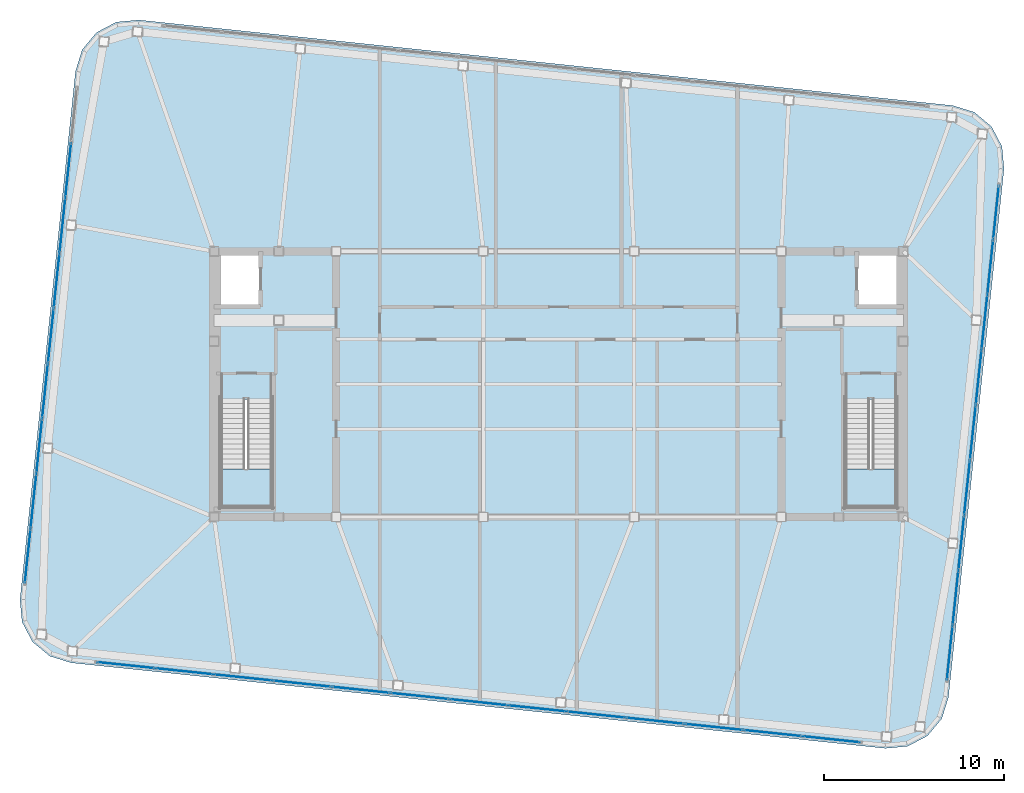
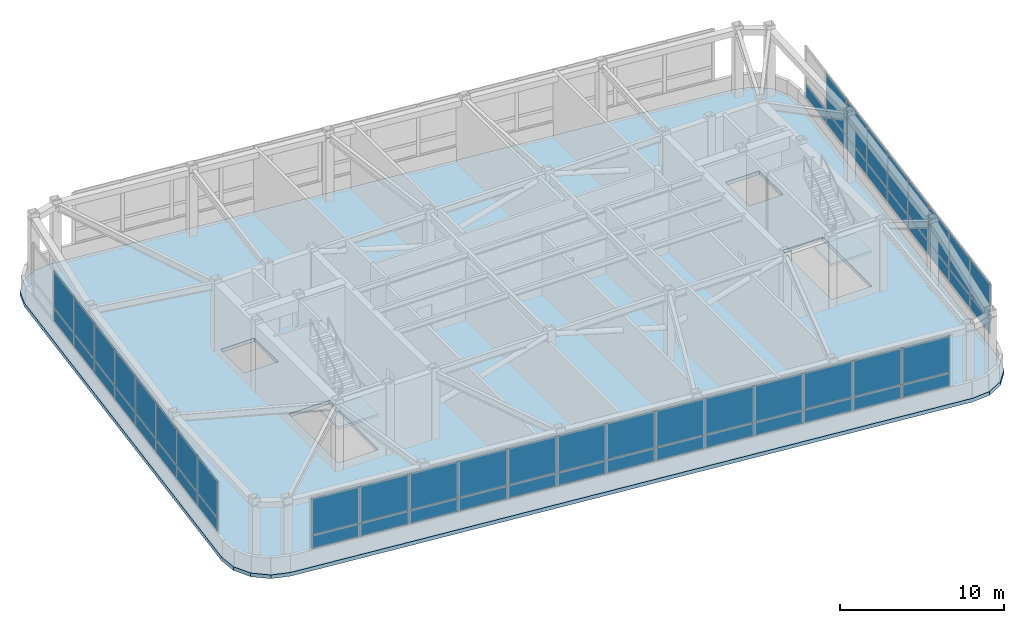
# One storey, part 18 of 23: 59 plates, 3 slabs, 5 elements without a shape of their own.
"""IFC4 building model written with IfcOpenShell, lengths in metres."""

from ifc_helpers import new_model, si_unit, direction, frame, origin, origin_2d, place, context, subcontext, project, spatial, polyline, rectangle, outline, extrude, material, layer, layer_set, type_object, element, aggregate, save


model = new_model("IFC4")

# Units and contexts
model_context = context("Model", 3, precision=1e-05, world=origin(), true_north=direction((0.0, 1.0)))
body_context = subcontext(model_context, "Body", "Model", "MODEL_VIEW")
ifc_project = project(units=[si_unit("LENGTHUNIT", "METRE"), si_unit("AREAUNIT", "SQUARE_METRE"), si_unit("VOLUMEUNIT", "CUBIC_METRE"), si_unit("PLANEANGLEUNIT", "RADIAN"), si_unit("MASSUNIT", "GRAM", prefix="KILO")], contexts=[model_context])

# Site, building, storey
site_placement = place(None, origin())
site = spatial("IfcSite", under=ifc_project, at=site_placement, CompositionType="ELEMENT")
building_placement = place(site_placement, origin())
building = spatial("IfcBuilding", under=site, at=building_placement, Name="Voryun Gate Residences", CompositionType="ELEMENT")
storey_placement = place(building_placement, frame((0.0, 0.0, 326.60009765625)))
storey = spatial("IfcBuildingStorey", under=building, at=storey_placement, Name="L80", CompositionType="ELEMENT", Elevation=326.60009765625)

# Curtain wall, plates
ifc_material_1 = material(Name="Anodised aluminium", Category="aluminium")
ifc_layer_1 = layer(ifc_material_1, 0.22998046875, Name="CW_SYS_LANTERN_DARK_GLASS")
ifc_layer_set_1 = layer_set([ifc_layer_1], Name="Anodised aluminium")
curtain_wall_type = type_object("IfcCurtainWallType", Name="CW_SYS_LANTERN_DARK_GLASS", PredefinedType="NOTDEFINED", material=ifc_layer_set_1)
curtain_wall_1_placement = place(storey_placement, origin())
curtain_wall_1 = element("IfcCurtainWall", 1, at=curtain_wall_1_placement, inside=storey, type_object=curtain_wall_type, Name="Curtain wall CW6-L80-01", PredefinedType="NOTDEFINED")
ifc_material_2 = material(Name="Fritted lantern glass", Category="glass")
ifc_layer_2 = layer(ifc_material_2, 0.050048828125, Name="PLT_GLASS_FRIT_LANTERN")
ifc_layer_set_2 = layer_set([ifc_layer_2], Name="Fritted lantern glass")
plate_type = type_object("IfcPlateType", Name="PLT_GLASS_FRIT_LANTERN", PredefinedType="CURTAIN_PANEL", material=ifc_layer_set_2)
plate_1_placement = place(storey_placement, frame((15.18212890625, -19.787109375, 1.25), z_axis=(0.0, 0.0, 1.0), x_axis=(-0.994521969434, 0.10452775858, 0.0)))
plate_1 = element("IfcPlate", 2, at=plate_1_placement, type_object=plate_type, Name="CW6 panel 1.1", PredefinedType="CURTAIN_PANEL", context=body_context, shape_type="SweptSolid", body=[
    extrude(rectangle(XDim=3.20458984375, YDim=0.028076171875, at=origin_2d()), origin(), (0.0, 0.0, 1.0), 0.9599609375),
])
plate_2_placement = place(storey_placement, frame((15.18212890625, -19.787109375, 2.27001953125), z_axis=(0.0, 0.0, 1.0), x_axis=(-0.994521969434, 0.10452775858, 0.0)))
plate_2 = element("IfcPlate", 3, at=plate_2_placement, type_object=plate_type, Name="CW6 panel 1.2", PredefinedType="CURTAIN_PANEL", context=body_context, shape_type="SweptSolid", body=[
    extrude(rectangle(XDim=3.20458984375, YDim=0.028076171875, at=origin_2d()), origin(), (0.0, 0.0, 1.0), 2.695068359375),
])
plate_3_placement = place(storey_placement, frame((11.92041015625, -19.4443359375, 1.25), z_axis=(0.0, 0.0, 1.0), x_axis=(-0.994521969434, 0.10452775858, 0.0)))
plate_3 = element("IfcPlate", 4, at=plate_3_placement, type_object=plate_type, Name="CW6 panel 2.1", PredefinedType="CURTAIN_PANEL", context=body_context, shape_type="SweptSolid", body=[
    extrude(rectangle(XDim=3.234619140625, YDim=0.028076171875, at=origin_2d()), origin(), (0.0, 0.0, 1.0), 0.9599609375),
])
plate_4_placement = place(storey_placement, frame((11.92041015625, -19.4443359375, 2.27001953125), z_axis=(0.0, 0.0, 1.0), x_axis=(-0.994521969434, 0.10452775858, 0.0)))
plate_4 = element("IfcPlate", 5, at=plate_4_placement, type_object=plate_type, Name="CW6 panel 2.2", PredefinedType="CURTAIN_PANEL", context=body_context, shape_type="SweptSolid", body=[
    extrude(rectangle(XDim=3.234619140625, YDim=0.028076171875, at=origin_2d()), origin(), (0.0, 0.0, 1.0), 2.695068359375),
])
plate_5_placement = place(storey_placement, frame((8.643798828125, -19.099853515625, 1.25), z_axis=(0.0, 0.0, 1.0), x_axis=(-0.994521969434, 0.10452775858, 0.0)))
plate_5 = element("IfcPlate", 6, at=plate_5_placement, type_object=plate_type, Name="CW6 panel 3.1", PredefinedType="CURTAIN_PANEL", context=body_context, shape_type="SweptSolid", body=[
    extrude(rectangle(XDim=3.234619140625, YDim=0.028076171875, at=origin_2d()), origin(), (0.0, 0.0, 1.0), 0.9599609375),
])
plate_6_placement = place(storey_placement, frame((8.643798828125, -19.099853515625, 2.27001953125), z_axis=(0.0, 0.0, 1.0), x_axis=(-0.994521969434, 0.10452775858, 0.0)))
plate_6 = element("IfcPlate", 7, at=plate_6_placement, type_object=plate_type, Name="CW6 panel 3.2", PredefinedType="CURTAIN_PANEL", context=body_context, shape_type="SweptSolid", body=[
    extrude(rectangle(XDim=3.234619140625, YDim=0.028076171875, at=origin_2d()), origin(), (0.0, 0.0, 1.0), 2.695068359375),
])
plate_7_placement = place(storey_placement, frame((5.3671875, -18.755615234375, 1.25), z_axis=(0.0, 0.0, 1.0), x_axis=(-0.994521969434, 0.10452775858, 0.0)))
plate_7 = element("IfcPlate", 8, at=plate_7_placement, type_object=plate_type, Name="CW6 panel 4.1", PredefinedType="CURTAIN_PANEL", context=body_context, shape_type="SweptSolid", body=[
    extrude(rectangle(XDim=3.234619140625, YDim=0.028076171875, at=origin_2d()), origin(), (0.0, 0.0, 1.0), 0.9599609375),
])
plate_8_placement = place(storey_placement, frame((5.3671875, -18.755615234375, 2.27001953125), z_axis=(0.0, 0.0, 1.0), x_axis=(-0.994521969434, 0.10452775858, 0.0)))
plate_8 = element("IfcPlate", 9, at=plate_8_placement, type_object=plate_type, Name="CW6 panel 4.2", PredefinedType="CURTAIN_PANEL", context=body_context, shape_type="SweptSolid", body=[
    extrude(rectangle(XDim=3.234619140625, YDim=0.028076171875, at=origin_2d()), origin(), (0.0, 0.0, 1.0), 2.695068359375),
])
plate_9_placement = place(storey_placement, frame((2.090576171875, -18.4111328125, 1.25), z_axis=(0.0, 0.0, 1.0), x_axis=(-0.994521969434, 0.10452775858, 0.0)))
plate_9 = element("IfcPlate", 10, at=plate_9_placement, type_object=plate_type, Name="CW6 panel 5.1", PredefinedType="CURTAIN_PANEL", context=body_context, shape_type="SweptSolid", body=[
    extrude(rectangle(XDim=3.234619140625, YDim=0.028076171875, at=origin_2d()), origin(), (0.0, 0.0, 1.0), 0.9599609375),
])
plate_10_placement = place(storey_placement, frame((2.090576171875, -18.4111328125, 2.27001953125), z_axis=(0.0, 0.0, 1.0), x_axis=(-0.994521969434, 0.10452775858, 0.0)))
plate_10 = element("IfcPlate", 11, at=plate_10_placement, type_object=plate_type, Name="CW6 panel 5.2", PredefinedType="CURTAIN_PANEL", context=body_context, shape_type="SweptSolid", body=[
    extrude(rectangle(XDim=3.234619140625, YDim=0.028076171875, at=origin_2d()), origin(), (0.0, 0.0, 1.0), 2.695068359375),
])
plate_11_placement = place(storey_placement, frame((-1.18603515625, -18.06689453125, 1.25), z_axis=(0.0, 0.0, 1.0), x_axis=(-0.994521969434, 0.10452775858, 0.0)))
plate_11 = element("IfcPlate", 12, at=plate_11_placement, type_object=plate_type, Name="CW6 panel 6.1", PredefinedType="CURTAIN_PANEL", context=body_context, shape_type="SweptSolid", body=[
    extrude(rectangle(XDim=3.234619140625, YDim=0.028076171875, at=origin_2d()), origin(), (0.0, 0.0, 1.0), 0.9599609375),
])
plate_12_placement = place(storey_placement, frame((-1.18603515625, -18.06689453125, 2.27001953125), z_axis=(0.0, 0.0, 1.0), x_axis=(-0.994521969434, 0.10452775858, 0.0)))
plate_12 = element("IfcPlate", 13, at=plate_12_placement, type_object=plate_type, Name="CW6 panel 6.2", PredefinedType="CURTAIN_PANEL", context=body_context, shape_type="SweptSolid", body=[
    extrude(rectangle(XDim=3.234619140625, YDim=0.028076171875, at=origin_2d()), origin(), (0.0, 0.0, 1.0), 2.695068359375),
])
plate_13_placement = place(storey_placement, frame((-4.462646484375, -17.722412109375, 1.25), z_axis=(0.0, 0.0, 1.0), x_axis=(-0.994521969434, 0.10452775858, 0.0)))
plate_13 = element("IfcPlate", 14, at=plate_13_placement, type_object=plate_type, Name="CW6 panel 7.1", PredefinedType="CURTAIN_PANEL", context=body_context, shape_type="SweptSolid", body=[
    extrude(rectangle(XDim=3.234619140625, YDim=0.028076171875, at=origin_2d()), origin(), (0.0, 0.0, 1.0), 0.9599609375),
])
plate_14_placement = place(storey_placement, frame((-4.462646484375, -17.722412109375, 2.27001953125), z_axis=(0.0, 0.0, 1.0), x_axis=(-0.994521969434, 0.10452775858, 0.0)))
plate_14 = element("IfcPlate", 15, at=plate_14_placement, type_object=plate_type, Name="CW6 panel 7.2", PredefinedType="CURTAIN_PANEL", context=body_context, shape_type="SweptSolid", body=[
    extrude(rectangle(XDim=3.234619140625, YDim=0.028076171875, at=origin_2d()), origin(), (0.0, 0.0, 1.0), 2.695068359375),
])
plate_15_placement = place(storey_placement, frame((-7.7392578125, -17.3779296875, 1.25), z_axis=(0.0, 0.0, 1.0), x_axis=(-0.994521969434, 0.10452775858, 0.0)))
plate_15 = element("IfcPlate", 16, at=plate_15_placement, type_object=plate_type, Name="CW6 panel 8.1", PredefinedType="CURTAIN_PANEL", context=body_context, shape_type="SweptSolid", body=[
    extrude(rectangle(XDim=3.234619140625, YDim=0.028076171875, at=origin_2d()), origin(), (0.0, 0.0, 1.0), 0.9599609375),
])
plate_16_placement = place(storey_placement, frame((-7.7392578125, -17.3779296875, 2.27001953125), z_axis=(0.0, 0.0, 1.0), x_axis=(-0.994521969434, 0.10452775858, 0.0)))
plate_16 = element("IfcPlate", 17, at=plate_16_placement, type_object=plate_type, Name="CW6 panel 8.2", PredefinedType="CURTAIN_PANEL", context=body_context, shape_type="SweptSolid", body=[
    extrude(rectangle(XDim=3.234619140625, YDim=0.028076171875, at=origin_2d()), origin(), (0.0, 0.0, 1.0), 2.695068359375),
])
plate_17_placement = place(storey_placement, frame((-11.015869140625, -17.03369140625, 1.25), z_axis=(0.0, 0.0, 1.0), x_axis=(-0.994521969434, 0.10452775858, 0.0)))
plate_17 = element("IfcPlate", 18, at=plate_17_placement, type_object=plate_type, Name="CW6 panel 9.1", PredefinedType="CURTAIN_PANEL", context=body_context, shape_type="SweptSolid", body=[
    extrude(rectangle(XDim=3.234619140625, YDim=0.028076171875, at=origin_2d()), origin(), (0.0, 0.0, 1.0), 0.9599609375),
])
plate_18_placement = place(storey_placement, frame((-11.015869140625, -17.03369140625, 2.27001953125), z_axis=(0.0, 0.0, 1.0), x_axis=(-0.994521969434, 0.10452775858, 0.0)))
plate_18 = element("IfcPlate", 19, at=plate_18_placement, type_object=plate_type, Name="CW6 panel 9.2", PredefinedType="CURTAIN_PANEL", context=body_context, shape_type="SweptSolid", body=[
    extrude(rectangle(XDim=3.234619140625, YDim=0.028076171875, at=origin_2d()), origin(), (0.0, 0.0, 1.0), 2.695068359375),
])
plate_19_placement = place(storey_placement, frame((-14.29248046875, -16.689208984375, 1.25), z_axis=(0.0, 0.0, 1.0), x_axis=(-0.994521969434, 0.10452775858, 0.0)))
plate_19 = element("IfcPlate", 20, at=plate_19_placement, type_object=plate_type, Name="CW6 panel 10.1", PredefinedType="CURTAIN_PANEL", context=body_context, shape_type="SweptSolid", body=[
    extrude(rectangle(XDim=3.234619140625, YDim=0.028076171875, at=origin_2d()), origin(), (0.0, 0.0, 1.0), 0.9599609375),
])
plate_20_placement = place(storey_placement, frame((-14.29248046875, -16.689208984375, 2.27001953125), z_axis=(0.0, 0.0, 1.0), x_axis=(-0.994521969434, 0.10452775858, 0.0)))
plate_20 = element("IfcPlate", 21, at=plate_20_placement, type_object=plate_type, Name="CW6 panel 10.2", PredefinedType="CURTAIN_PANEL", context=body_context, shape_type="SweptSolid", body=[
    extrude(rectangle(XDim=3.234619140625, YDim=0.028076171875, at=origin_2d()), origin(), (0.0, 0.0, 1.0), 2.695068359375),
])
plate_21_placement = place(storey_placement, frame((-17.569091796875, -16.344970703125, 1.25), z_axis=(0.0, 0.0, 1.0), x_axis=(-0.994521969434, 0.10452775858, 0.0)))
plate_21 = element("IfcPlate", 22, at=plate_21_placement, type_object=plate_type, Name="CW6 panel 11.1", PredefinedType="CURTAIN_PANEL", context=body_context, shape_type="SweptSolid", body=[
    extrude(rectangle(XDim=3.234619140625, YDim=0.028076171875, at=origin_2d()), origin(), (0.0, 0.0, 1.0), 0.9599609375),
])
plate_22_placement = place(storey_placement, frame((-17.569091796875, -16.344970703125, 2.27001953125), z_axis=(0.0, 0.0, 1.0), x_axis=(-0.994521969434, 0.10452775858, 0.0)))
plate_22 = element("IfcPlate", 23, at=plate_22_placement, type_object=plate_type, Name="CW6 panel 11.2", PredefinedType="CURTAIN_PANEL", context=body_context, shape_type="SweptSolid", body=[
    extrude(rectangle(XDim=3.234619140625, YDim=0.028076171875, at=origin_2d()), origin(), (0.0, 0.0, 1.0), 2.695068359375),
])
plate_23_placement = place(storey_placement, frame((-20.845703125, -16.00048828125, 1.25), z_axis=(0.0, 0.0, 1.0), x_axis=(-0.994521969434, 0.10452775858, 0.0)))
plate_23 = element("IfcPlate", 24, at=plate_23_placement, type_object=plate_type, Name="CW6 panel 12.1", PredefinedType="CURTAIN_PANEL", context=body_context, shape_type="SweptSolid", body=[
    extrude(rectangle(XDim=3.234619140625, YDim=0.028076171875, at=origin_2d()), origin(), (0.0, 0.0, 1.0), 0.9599609375),
])
plate_24_placement = place(storey_placement, frame((-20.845703125, -16.00048828125, 2.27001953125), z_axis=(0.0, 0.0, 1.0), x_axis=(-0.994521969434, 0.10452775858, 0.0)))
plate_24 = element("IfcPlate", 25, at=plate_24_placement, type_object=plate_type, Name="CW6 panel 12.2", PredefinedType="CURTAIN_PANEL", context=body_context, shape_type="SweptSolid", body=[
    extrude(rectangle(XDim=3.234619140625, YDim=0.028076171875, at=origin_2d()), origin(), (0.0, 0.0, 1.0), 2.695068359375),
])
plate_25_placement = place(storey_placement, frame((-24.107421875, -15.65771484375, 1.25), z_axis=(0.0, 0.0, 1.0), x_axis=(-0.994521969434, 0.10452775858, 0.0)))
plate_25 = element("IfcPlate", 26, at=plate_25_placement, type_object=plate_type, Name="CW6 panel 13.1", PredefinedType="CURTAIN_PANEL", context=body_context, shape_type="SweptSolid", body=[
    extrude(rectangle(XDim=3.20458984375, YDim=0.028076171875, at=origin_2d()), origin(), (0.0, 0.0, 1.0), 0.9599609375),
])
plate_26_placement = place(storey_placement, frame((-24.107421875, -15.65771484375, 2.27001953125), z_axis=(0.0, 0.0, 1.0), x_axis=(-0.994521969434, 0.10452775858, 0.0)))
plate_26 = element("IfcPlate", 27, at=plate_26_placement, type_object=plate_type, Name="CW6 panel 13.2", PredefinedType="CURTAIN_PANEL", context=body_context, shape_type="SweptSolid", body=[
    extrude(rectangle(XDim=3.20458984375, YDim=0.028076171875, at=origin_2d()), origin(), (0.0, 0.0, 1.0), 2.695068359375),
])
aggregate(curtain_wall_1, [plate_1, plate_2, plate_3, plate_4, plate_5, plate_6, plate_7, plate_8, plate_9, plate_10, plate_11, plate_12, plate_13, plate_14, plate_15, plate_16, plate_17, plate_18, plate_19, plate_20, plate_21, plate_22, plate_23, plate_24, plate_25, plate_26])

curtain_wall_2_placement = place(storey_placement, origin())
curtain_wall_2 = element("IfcCurtainWall", 28, at=curtain_wall_2_placement, inside=storey, type_object=curtain_wall_type, Name="Curtain wall CW6-L80-06", PredefinedType="NOTDEFINED")
plate_27_placement = place(storey_placement, frame((-29.568115234375, -9.56982421875, 1.25), z_axis=(0.0, 0.0, 1.0), x_axis=(0.104528004296, 0.994521943608, 0.0)))
plate_27 = element("IfcPlate", 29, at=plate_27_placement, type_object=plate_type, Name="CW6 panel 1.1", PredefinedType="CURTAIN_PANEL", context=body_context, shape_type="SweptSolid", body=[
    extrude(rectangle(XDim=2.997802734375, YDim=0.028076171875, at=origin_2d()), origin(), (0.0, 0.0, 1.0), 0.9599609375),
])
plate_28_placement = place(storey_placement, frame((-29.568115234375, -9.56982421875, 2.27001953125), z_axis=(0.0, 0.0, 1.0), x_axis=(0.104528004296, 0.994521943608, 0.0)))
plate_28 = element("IfcPlate", 30, at=plate_28_placement, type_object=plate_type, Name="CW6 panel 1.2", PredefinedType="CURTAIN_PANEL", context=body_context, shape_type="SweptSolid", body=[
    extrude(rectangle(XDim=2.997802734375, YDim=0.028076171875, at=origin_2d()), origin(), (0.0, 0.0, 1.0), 2.695068359375),
])
plate_29_placement = place(storey_placement, frame((-29.246826171875, -6.513916015625, 1.25), z_axis=(0.0, 0.0, 1.0), x_axis=(0.104528004296, 0.994521943608, 0.0)))
plate_29 = element("IfcPlate", 31, at=plate_29_placement, type_object=plate_type, Name="CW6 panel 2.1", PredefinedType="CURTAIN_PANEL", context=body_context, shape_type="SweptSolid", body=[
    extrude(rectangle(XDim=3.02783203125, YDim=0.028076171875, at=origin_2d()), origin(), (0.0, 0.0, 1.0), 0.9599609375),
])
plate_30_placement = place(storey_placement, frame((-29.246826171875, -6.513916015625, 2.27001953125), z_axis=(0.0, 0.0, 1.0), x_axis=(0.104528004296, 0.994521943608, 0.0)))
plate_30 = element("IfcPlate", 32, at=plate_30_placement, type_object=plate_type, Name="CW6 panel 2.2", PredefinedType="CURTAIN_PANEL", context=body_context, shape_type="SweptSolid", body=[
    extrude(rectangle(XDim=3.02783203125, YDim=0.028076171875, at=origin_2d()), origin(), (0.0, 0.0, 1.0), 2.695068359375),
])
plate_31_placement = place(storey_placement, frame((-28.924072265625, -3.44287109375, 1.25), z_axis=(0.0, 0.0, 1.0), x_axis=(0.104528004296, 0.994521943608, 0.0)))
plate_31 = element("IfcPlate", 33, at=plate_31_placement, type_object=plate_type, Name="CW6 panel 3.1", PredefinedType="CURTAIN_PANEL", context=body_context, shape_type="SweptSolid", body=[
    extrude(rectangle(XDim=3.02783203125, YDim=0.028076171875, at=origin_2d()), origin(), (0.0, 0.0, 1.0), 0.9599609375),
])
plate_32_placement = place(storey_placement, frame((-28.924072265625, -3.44287109375, 2.27001953125), z_axis=(0.0, 0.0, 1.0), x_axis=(0.104528004296, 0.994521943608, 0.0)))
plate_32 = element("IfcPlate", 34, at=plate_32_placement, type_object=plate_type, Name="CW6 panel 3.2", PredefinedType="CURTAIN_PANEL", context=body_context, shape_type="SweptSolid", body=[
    extrude(rectangle(XDim=3.02783203125, YDim=0.028076171875, at=origin_2d()), origin(), (0.0, 0.0, 1.0), 2.695068359375),
])
plate_33_placement = place(storey_placement, frame((-28.601318359375, -0.3720703125, 1.25), z_axis=(0.0, 0.0, 1.0), x_axis=(0.104528004296, 0.994521943608, 0.0)))
plate_33 = element("IfcPlate", 35, at=plate_33_placement, type_object=plate_type, Name="CW6 panel 4.1", PredefinedType="CURTAIN_PANEL", context=body_context, shape_type="SweptSolid", body=[
    extrude(rectangle(XDim=3.02783203125, YDim=0.028076171875, at=origin_2d()), origin(), (0.0, 0.0, 1.0), 0.9599609375),
])
plate_34_placement = place(storey_placement, frame((-28.601318359375, -0.3720703125, 2.27001953125), z_axis=(0.0, 0.0, 1.0), x_axis=(0.104528004296, 0.994521943608, 0.0)))
plate_34 = element("IfcPlate", 36, at=plate_34_placement, type_object=plate_type, Name="CW6 panel 4.2", PredefinedType="CURTAIN_PANEL", context=body_context, shape_type="SweptSolid", body=[
    extrude(rectangle(XDim=3.02783203125, YDim=0.028076171875, at=origin_2d()), origin(), (0.0, 0.0, 1.0), 2.695068359375),
])
plate_35_placement = place(storey_placement, frame((-28.278564453125, 2.698974609375, 1.25), z_axis=(0.0, 0.0, 1.0), x_axis=(0.104528004296, 0.994521943608, 0.0)))
plate_35 = element("IfcPlate", 37, at=plate_35_placement, type_object=plate_type, Name="CW6 panel 5.1", PredefinedType="CURTAIN_PANEL", context=body_context, shape_type="SweptSolid", body=[
    extrude(rectangle(XDim=3.02783203125, YDim=0.028076171875, at=origin_2d()), origin(), (0.0, 0.0, 1.0), 0.9599609375),
])
plate_36_placement = place(storey_placement, frame((-28.278564453125, 2.698974609375, 2.27001953125), z_axis=(0.0, 0.0, 1.0), x_axis=(0.104528004296, 0.994521943608, 0.0)))
plate_36 = element("IfcPlate", 38, at=plate_36_placement, type_object=plate_type, Name="CW6 panel 5.2", PredefinedType="CURTAIN_PANEL", context=body_context, shape_type="SweptSolid", body=[
    extrude(rectangle(XDim=3.02783203125, YDim=0.028076171875, at=origin_2d()), origin(), (0.0, 0.0, 1.0), 2.695068359375),
])
plate_37_placement = place(storey_placement, frame((-27.955810546875, 5.769775390625, 1.25), z_axis=(0.0, 0.0, 1.0), x_axis=(0.104528004296, 0.994521943608, 0.0)))
plate_37 = element("IfcPlate", 39, at=plate_37_placement, type_object=plate_type, Name="CW6 panel 6.1", PredefinedType="CURTAIN_PANEL", context=body_context, shape_type="SweptSolid", body=[
    extrude(rectangle(XDim=3.02783203125, YDim=0.028076171875, at=origin_2d()), origin(), (0.0, 0.0, 1.0), 0.9599609375),
])
plate_38_placement = place(storey_placement, frame((-27.955810546875, 5.769775390625, 2.27001953125), z_axis=(0.0, 0.0, 1.0), x_axis=(0.104528004296, 0.994521943608, 0.0)))
plate_38 = element("IfcPlate", 40, at=plate_38_placement, type_object=plate_type, Name="CW6 panel 6.2", PredefinedType="CURTAIN_PANEL", context=body_context, shape_type="SweptSolid", body=[
    extrude(rectangle(XDim=3.02783203125, YDim=0.028076171875, at=origin_2d()), origin(), (0.0, 0.0, 1.0), 2.695068359375),
])
plate_39_placement = place(storey_placement, frame((-27.633056640625, 8.8408203125, 1.25), z_axis=(0.0, 0.0, 1.0), x_axis=(0.104528004296, 0.994521943608, 0.0)))
plate_39 = element("IfcPlate", 41, at=plate_39_placement, type_object=plate_type, Name="CW6 panel 7.1", PredefinedType="CURTAIN_PANEL", context=body_context, shape_type="SweptSolid", body=[
    extrude(rectangle(XDim=3.02783203125, YDim=0.028076171875, at=origin_2d()), origin(), (0.0, 0.0, 1.0), 0.9599609375),
])
plate_40_placement = place(storey_placement, frame((-27.633056640625, 8.8408203125, 2.27001953125), z_axis=(0.0, 0.0, 1.0), x_axis=(0.104528004296, 0.994521943608, 0.0)))
plate_40 = element("IfcPlate", 42, at=plate_40_placement, type_object=plate_type, Name="CW6 panel 7.2", PredefinedType="CURTAIN_PANEL", context=body_context, shape_type="SweptSolid", body=[
    extrude(rectangle(XDim=3.02783203125, YDim=0.028076171875, at=origin_2d()), origin(), (0.0, 0.0, 1.0), 2.695068359375),
])
plate_41_placement = place(storey_placement, frame((-27.310302734375, 11.91162109375, 1.25), z_axis=(0.0, 0.0, 1.0), x_axis=(0.104528004296, 0.994521943608, 0.0)))
plate_41 = element("IfcPlate", 43, at=plate_41_placement, type_object=plate_type, Name="CW6 panel 8.1", PredefinedType="CURTAIN_PANEL", context=body_context, shape_type="SweptSolid", body=[
    extrude(rectangle(XDim=3.02783203125, YDim=0.028076171875, at=origin_2d()), origin(), (0.0, 0.0, 1.0), 0.9599609375),
])
plate_42_placement = place(storey_placement, frame((-27.310302734375, 11.91162109375, 2.27001953125), z_axis=(0.0, 0.0, 1.0), x_axis=(0.104528004296, 0.994521943608, 0.0)))
plate_42 = element("IfcPlate", 44, at=plate_42_placement, type_object=plate_type, Name="CW6 panel 8.2", PredefinedType="CURTAIN_PANEL", context=body_context, shape_type="SweptSolid", body=[
    extrude(rectangle(XDim=3.02783203125, YDim=0.028076171875, at=origin_2d()), origin(), (0.0, 0.0, 1.0), 2.695068359375),
])
aggregate(curtain_wall_2, [plate_27, plate_28, plate_29, plate_30, plate_31, plate_32, plate_33, plate_34, plate_35, plate_36, plate_37, plate_38, plate_39, plate_40, plate_41, plate_42])

curtain_wall_3_placement = place(storey_placement, origin())
curtain_wall_3 = element("IfcCurtainWall", 45, at=curtain_wall_3_placement, inside=storey, type_object=curtain_wall_type, Name="Curtain wall CW6-L80-16", PredefinedType="NOTDEFINED")
plate_43_placement = place(storey_placement, frame((24.3681640625, 9.56982421875, 1.25), z_axis=(0.0, 0.0, 1.0), x_axis=(-0.104528004296, -0.994521943608, 0.0)))
plate_43 = element("IfcPlate", 46, at=plate_43_placement, type_object=plate_type, Name="CW6 panel 1.1", PredefinedType="CURTAIN_PANEL", context=body_context, shape_type="SweptSolid", body=[
    extrude(rectangle(XDim=2.997802734375, YDim=0.028076171875, at=origin_2d()), origin(), (0.0, 0.0, 1.0), 0.9599609375),
])
plate_44_placement = place(storey_placement, frame((24.046875, 6.513916015625, 1.25), z_axis=(0.0, 0.0, 1.0), x_axis=(-0.104528004296, -0.994521943608, 0.0)))
plate_44 = element("IfcPlate", 47, at=plate_44_placement, type_object=plate_type, Name="CW6 panel 2.1", PredefinedType="CURTAIN_PANEL", context=body_context, shape_type="SweptSolid", body=[
    extrude(rectangle(XDim=3.02783203125, YDim=0.028076171875, at=origin_2d()), origin(), (0.0, 0.0, 1.0), 0.9599609375),
])
plate_45_placement = place(storey_placement, frame((24.046875, 6.513916015625, 2.27001953125), z_axis=(0.0, 0.0, 1.0), x_axis=(-0.104528004296, -0.994521943608, 0.0)))
plate_45 = element("IfcPlate", 48, at=plate_45_placement, type_object=plate_type, Name="CW6 panel 2.2", PredefinedType="CURTAIN_PANEL", context=body_context, shape_type="SweptSolid", body=[
    extrude(rectangle(XDim=3.02783203125, YDim=0.028076171875, at=origin_2d()), origin(), (0.0, 0.0, 1.0), 2.695068359375),
])
plate_46_placement = place(storey_placement, frame((23.72412109375, 3.44287109375, 1.25), z_axis=(0.0, 0.0, 1.0), x_axis=(-0.104528004296, -0.994521943608, 0.0)))
plate_46 = element("IfcPlate", 49, at=plate_46_placement, type_object=plate_type, Name="CW6 panel 3.1", PredefinedType="CURTAIN_PANEL", context=body_context, shape_type="SweptSolid", body=[
    extrude(rectangle(XDim=3.02783203125, YDim=0.028076171875, at=origin_2d()), origin(), (0.0, 0.0, 1.0), 0.9599609375),
])
plate_47_placement = place(storey_placement, frame((23.72412109375, 3.44287109375, 2.27001953125), z_axis=(0.0, 0.0, 1.0), x_axis=(-0.104528004296, -0.994521943608, 0.0)))
plate_47 = element("IfcPlate", 50, at=plate_47_placement, type_object=plate_type, Name="CW6 panel 3.2", PredefinedType="CURTAIN_PANEL", context=body_context, shape_type="SweptSolid", body=[
    extrude(rectangle(XDim=3.02783203125, YDim=0.028076171875, at=origin_2d()), origin(), (0.0, 0.0, 1.0), 2.695068359375),
])
plate_48_placement = place(storey_placement, frame((23.4013671875, 0.3720703125, 1.25), z_axis=(0.0, 0.0, 1.0), x_axis=(-0.104528004296, -0.994521943608, 0.0)))
plate_48 = element("IfcPlate", 51, at=plate_48_placement, type_object=plate_type, Name="CW6 panel 4.1", PredefinedType="CURTAIN_PANEL", context=body_context, shape_type="SweptSolid", body=[
    extrude(rectangle(XDim=3.02783203125, YDim=0.028076171875, at=origin_2d()), origin(), (0.0, 0.0, 1.0), 0.9599609375),
])
plate_49_placement = place(storey_placement, frame((23.4013671875, 0.3720703125, 2.27001953125), z_axis=(0.0, 0.0, 1.0), x_axis=(-0.104528004296, -0.994521943608, 0.0)))
plate_49 = element("IfcPlate", 52, at=plate_49_placement, type_object=plate_type, Name="CW6 panel 4.2", PredefinedType="CURTAIN_PANEL", context=body_context, shape_type="SweptSolid", body=[
    extrude(rectangle(XDim=3.02783203125, YDim=0.028076171875, at=origin_2d()), origin(), (0.0, 0.0, 1.0), 2.695068359375),
])
plate_50_placement = place(storey_placement, frame((23.07861328125, -2.698974609375, 1.25), z_axis=(0.0, 0.0, 1.0), x_axis=(-0.104528004296, -0.994521943608, 0.0)))
plate_50 = element("IfcPlate", 53, at=plate_50_placement, type_object=plate_type, Name="CW6 panel 5.1", PredefinedType="CURTAIN_PANEL", context=body_context, shape_type="SweptSolid", body=[
    extrude(rectangle(XDim=3.02783203125, YDim=0.028076171875, at=origin_2d()), origin(), (0.0, 0.0, 1.0), 0.9599609375),
])
plate_51_placement = place(storey_placement, frame((23.07861328125, -2.698974609375, 2.27001953125), z_axis=(0.0, 0.0, 1.0), x_axis=(-0.104528004296, -0.994521943608, 0.0)))
plate_51 = element("IfcPlate", 54, at=plate_51_placement, type_object=plate_type, Name="CW6 panel 5.2", PredefinedType="CURTAIN_PANEL", context=body_context, shape_type="SweptSolid", body=[
    extrude(rectangle(XDim=3.02783203125, YDim=0.028076171875, at=origin_2d()), origin(), (0.0, 0.0, 1.0), 2.695068359375),
])
plate_52_placement = place(storey_placement, frame((22.755859375, -5.769775390625, 1.25), z_axis=(0.0, 0.0, 1.0), x_axis=(-0.104528004296, -0.994521943608, 0.0)))
plate_52 = element("IfcPlate", 55, at=plate_52_placement, type_object=plate_type, Name="CW6 panel 6.1", PredefinedType="CURTAIN_PANEL", context=body_context, shape_type="SweptSolid", body=[
    extrude(rectangle(XDim=3.02783203125, YDim=0.028076171875, at=origin_2d()), origin(), (0.0, 0.0, 1.0), 0.9599609375),
])
plate_53_placement = place(storey_placement, frame((22.755859375, -5.769775390625, 2.27001953125), z_axis=(0.0, 0.0, 1.0), x_axis=(-0.104528004296, -0.994521943608, 0.0)))
plate_53 = element("IfcPlate", 56, at=plate_53_placement, type_object=plate_type, Name="CW6 panel 6.2", PredefinedType="CURTAIN_PANEL", context=body_context, shape_type="SweptSolid", body=[
    extrude(rectangle(XDim=3.02783203125, YDim=0.028076171875, at=origin_2d()), origin(), (0.0, 0.0, 1.0), 2.695068359375),
])
plate_54_placement = place(storey_placement, frame((22.43310546875, -8.8408203125, 1.25), z_axis=(0.0, 0.0, 1.0), x_axis=(-0.104528004296, -0.994521943608, 0.0)))
plate_54 = element("IfcPlate", 57, at=plate_54_placement, type_object=plate_type, Name="CW6 panel 7.1", PredefinedType="CURTAIN_PANEL", context=body_context, shape_type="SweptSolid", body=[
    extrude(rectangle(XDim=3.02783203125, YDim=0.028076171875, at=origin_2d()), origin(), (0.0, 0.0, 1.0), 0.9599609375),
])
plate_55_placement = place(storey_placement, frame((22.43310546875, -8.8408203125, 2.27001953125), z_axis=(0.0, 0.0, 1.0), x_axis=(-0.104528004296, -0.994521943608, 0.0)))
plate_55 = element("IfcPlate", 58, at=plate_55_placement, type_object=plate_type, Name="CW6 panel 7.2", PredefinedType="CURTAIN_PANEL", context=body_context, shape_type="SweptSolid", body=[
    extrude(rectangle(XDim=3.02783203125, YDim=0.028076171875, at=origin_2d()), origin(), (0.0, 0.0, 1.0), 2.695068359375),
])
plate_56_placement = place(storey_placement, frame((22.1103515625, -11.91162109375, 1.25), z_axis=(0.0, 0.0, 1.0), x_axis=(-0.104528004296, -0.994521943608, 0.0)))
plate_56 = element("IfcPlate", 59, at=plate_56_placement, type_object=plate_type, Name="CW6 panel 8.1", PredefinedType="CURTAIN_PANEL", context=body_context, shape_type="SweptSolid", body=[
    extrude(rectangle(XDim=3.02783203125, YDim=0.028076171875, at=origin_2d()), origin(), (0.0, 0.0, 1.0), 0.9599609375),
])
plate_57_placement = place(storey_placement, frame((22.1103515625, -11.91162109375, 2.27001953125), z_axis=(0.0, 0.0, 1.0), x_axis=(-0.104528004296, -0.994521943608, 0.0)))
plate_57 = element("IfcPlate", 60, at=plate_57_placement, type_object=plate_type, Name="CW6 panel 8.2", PredefinedType="CURTAIN_PANEL", context=body_context, shape_type="SweptSolid", body=[
    extrude(rectangle(XDim=3.02783203125, YDim=0.028076171875, at=origin_2d()), origin(), (0.0, 0.0, 1.0), 2.695068359375),
])
plate_58_placement = place(storey_placement, frame((21.7890625, -14.9677734375, 1.25), z_axis=(0.0, 0.0, 1.0), x_axis=(-0.104528004296, -0.994521943608, 0.0)))
plate_58 = element("IfcPlate", 61, at=plate_58_placement, type_object=plate_type, Name="CW6 panel 9.1", PredefinedType="CURTAIN_PANEL", context=body_context, shape_type="SweptSolid", body=[
    extrude(rectangle(XDim=2.997802734375, YDim=0.028076171875, at=origin_2d()), origin(), (0.0, 0.0, 1.0), 0.9599609375),
])
plate_59_placement = place(storey_placement, frame((21.7890625, -14.9677734375, 2.27001953125), z_axis=(0.0, 0.0, 1.0), x_axis=(-0.104528004296, -0.994521943608, 0.0)))
plate_59 = element("IfcPlate", 62, at=plate_59_placement, type_object=plate_type, Name="CW6 panel 9.2", PredefinedType="CURTAIN_PANEL", context=body_context, shape_type="SweptSolid", body=[
    extrude(rectangle(XDim=2.997802734375, YDim=0.028076171875, at=origin_2d()), origin(), (0.0, 0.0, 1.0), 2.695068359375),
])
aggregate(curtain_wall_3, [plate_43, plate_44, plate_45, plate_46, plate_47, plate_48, plate_49, plate_50, plate_51, plate_52, plate_53, plate_54, plate_55, plate_56, plate_57, plate_58, plate_59])

# Slab
ifc_material_3 = material(Name="Concrete C50/60", Category="concrete")
ifc_layer_3 = layer(ifc_material_3, 0.27490234375, Name="SLB_CROWN_275")
ifc_layer_set_3 = layer_set([ifc_layer_3], Name="Concrete C50/60")
slab_type_1 = type_object("IfcSlabType", Name="SLB_CROWN_275", PredefinedType="FLOOR", material=ifc_layer_set_3)
slab_1_placement = place(storey_placement, frame((0.0, 0.0, -0.275146484375)))
element("IfcSlab", 63, at=slab_1_placement, inside=storey, type_object=slab_type_1, Name="L80 Structural Floor Slab", PredefinedType="FLOOR", context=body_context, shape_type="SweptSolid", body=[
    extrude(outline(polyline([(-27.156494140625, -15.51806640625), (-28.34912109375, -15.14794921875), (-29.30908203125, -14.349609375), (-29.890380859375, -13.24462890625), (-30.004638671875, -12.001220703125), (-26.91064453125, 17.436767578125), (-26.540283203125, 18.629150390625), (-25.741943359375, 19.589111328125), (-24.636962890625, 20.17041015625), (-23.3935546875, 20.28466796875), (21.95654296875, 15.51806640625), (23.14892578125, 15.14794921875), (24.10888671875, 14.349609375), (24.6904296875, 13.24462890625), (24.8046875, 12.001220703125), (21.71044921875, -17.436767578125), (21.34033203125, -18.629150390625), (20.5419921875, -19.589111328125), (19.43701171875, -20.17041015625), (18.193603515625, -20.28466796875), (-27.156494140625, -15.51806640625)]), holes=[polyline([(-15.97509765625, -0.840087890625), (-18.824951171875, -0.840087890625), (-18.824951171875, -6.85009765625), (-15.97509765625, -6.85009765625), (-15.97509765625, -0.840087890625)]), polyline([(18.824951171875, -0.840087890625), (15.97509765625, -0.840087890625), (15.97509765625, -6.85009765625), (18.824951171875, -6.85009765625), (18.824951171875, -0.840087890625)]), polyline([(-19.0, 7.199951171875), (-19.0, 4.300048828125), (-16.60009765625, 4.300048828125), (-16.60009765625, 7.199951171875), (-19.0, 7.199951171875)]), polyline([(16.60009765625, 7.199951171875), (16.60009765625, 4.300048828125), (19.0, 4.300048828125), (19.0, 7.199951171875), (16.60009765625, 7.199951171875)])]), origin(), (0.0, 0.0, 1.0), 0.275146484375),
])

# Stair, slab
ifc_material_4 = material(Name="Concrete C40/50", Category="concrete")
stair_type = type_object("IfcStairType", Name="STR_CORE_DOGLEG_1350", PredefinedType="HALF_TURN_STAIR", material=ifc_material_4)
stair_1_placement = place(storey_placement, origin())
stair_1 = element("IfcStair", 64, at=stair_1_placement, inside=storey, type_object=stair_type, Name="L80 Special Escape Stair ST-W1", PredefinedType="HALF_TURN_STAIR")
ifc_material_5 = material(Name="Concrete C40/50", Category="concrete")
ifc_layer_4 = layer(ifc_material_5, 0.199951171875, Name="SLB_STAIR_LANDING_200")
ifc_layer_set_4 = layer_set([ifc_layer_4], Name="Concrete C40/50")
slab_type_2 = type_object("IfcSlabType", Name="SLB_STAIR_LANDING_200", PredefinedType="LANDING", material=ifc_layer_set_4)
slab_2_placement = place(storey_placement, frame((0.0, 0.0, 2.449951171875)))
slab_2 = element("IfcSlab", 65, at=slab_2_placement, type_object=slab_type_2, Name="ST-W1 landing 1", PredefinedType="LANDING", context=body_context, shape_type="SweptSolid", body=[
    extrude(outline(polyline([(-18.824951171875, -4.719970703125), (-18.824951171875, -6.85009765625), (-15.97509765625, -6.85009765625), (-15.97509765625, -4.719970703125), (-18.824951171875, -4.719970703125)])), origin(), (0.0, 0.0, 1.0), 0.199951171875),
])
aggregate(stair_1, [slab_2])

stair_2_placement = place(storey_placement, origin())
stair_2 = element("IfcStair", 66, at=stair_2_placement, inside=storey, type_object=stair_type, Name="L80 Special Escape Stair ST-E1", PredefinedType="HALF_TURN_STAIR")
slab_3_placement = place(storey_placement, frame((0.0, 0.0, 2.449951171875)))
slab_3 = element("IfcSlab", 67, at=slab_3_placement, type_object=slab_type_2, Name="ST-E1 landing 1", PredefinedType="LANDING", context=body_context, shape_type="SweptSolid", body=[
    extrude(outline(polyline([(15.97509765625, -4.719970703125), (15.97509765625, -6.85009765625), (18.824951171875, -6.85009765625), (18.824951171875, -4.719970703125), (15.97509765625, -4.719970703125)])), origin(), (0.0, 0.0, 1.0), 0.199951171875),
])
aggregate(stair_2, [slab_3])

save(model, "model.ifc")
